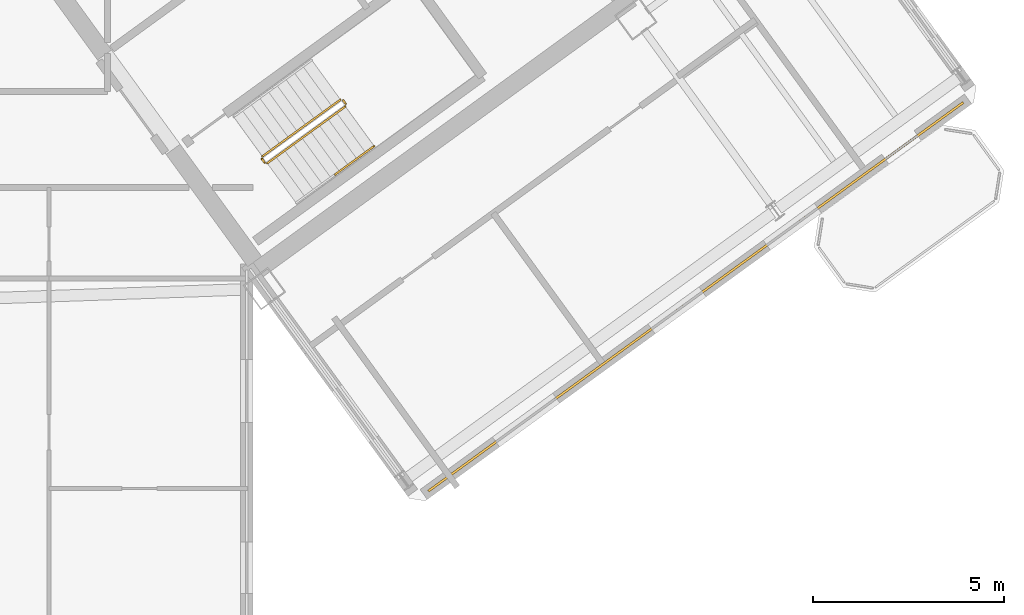
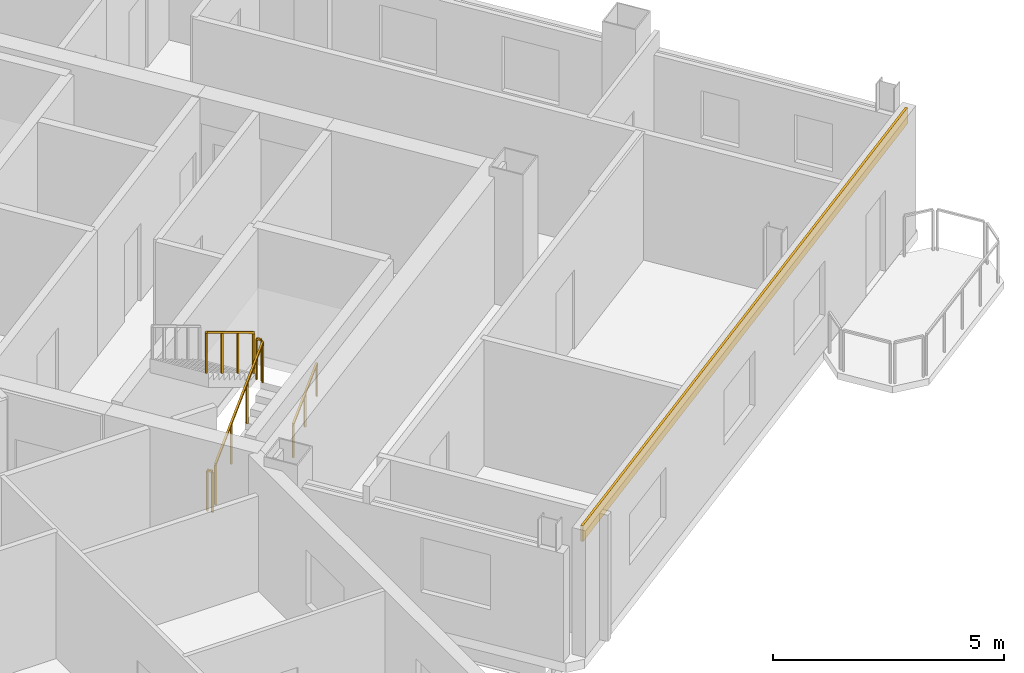
# One storey, part 27 of 29: 5 railings, 1 covering.
"""IFC4 building model written with IfcOpenShell, lengths in metres."""

from ifc_helpers import new_model, si_unit, direction, frame, origin, origin_2d, place, context, subcontext, project, spatial, rectangle, extrude, source, transform, mapped, material, layer, layer_set, type_object, element, save


model = new_model("IFC4")

# Units and contexts
model_context = context("Model", 3, precision=1e-05, world=origin(), true_north=direction((0.0, 1.0)))
body_context = subcontext(model_context, "Body", "Model", "MODEL_VIEW")
ifc_project = project(units=[si_unit("LENGTHUNIT", "METRE"), si_unit("AREAUNIT", "SQUARE_METRE"), si_unit("VOLUMEUNIT", "CUBIC_METRE"), si_unit("PLANEANGLEUNIT", "RADIAN"), si_unit("MASSUNIT", "GRAM", prefix="KILO")], contexts=[model_context])

# Site, building, storey
site_placement = place(None, origin())
site = spatial("IfcSite", under=ifc_project, at=site_placement, CompositionType="ELEMENT")
building_placement = place(site_placement, origin())
building = spatial("IfcBuilding", under=site, at=building_placement, Name="Tlacorven Tower", CompositionType="ELEMENT")
storey_placement = place(building_placement, frame((0.0, 0.0, 238.5)))
storey = spatial("IfcBuildingStorey", under=building, at=storey_placement, Name="L60", CompositionType="ELEMENT", Elevation=238.5)

# Covering
ifc_material_1 = material(Name="Precast concrete C45/55", Category="concrete")
ifc_layer = layer(ifc_material_1, 0.06005859375)
ifc_layer_set = layer_set([ifc_layer], Name="Precast concrete C45/55")
covering_type = type_object("IfcCoveringType", Name="CV-CLD-TERC", PredefinedType="CLADDING", material=ifc_layer_set)
shared_shape_1 = source(origin(), body_context, "Body", "SweptSolid", [
    extrude(rectangle(XDim=17.287353515625, YDim=0.06005859375, at=origin_2d()), origin(), (0.0, 0.0, 1.0), 0.419921875),
])
covering_placement = place(storey_placement, frame((63.9833984375, 12.562255859375, 2.929931640625), z_axis=(0.0, 0.0, 1.0), x_axis=(-0.809017097486, -0.587785110372, 0.0)))
element("IfcCovering", 1, at=covering_placement, inside=storey, type_object=covering_type, Name="L60 Masonry-Frame Spandrel Cladding 6", PredefinedType="CLADDING", context=body_context, shape_type="MappedRepresentation", body=[
    mapped(shared_shape_1, transform((0.0, 0.0, 0.0), scale=1.0)),
])

# Railings
ifc_material_2 = material(Name="Aluminium and painted steel balustrade", Category="steel")
railing_type_1 = type_object("IfcRailingType", Name="RL-GRD-1100", PredefinedType="GUARDRAIL", material=ifc_material_2)
shared_shape_2 = source(origin(), body_context, "Body", "SweptSolid", [
    extrude(rectangle(XDim=0.048095703125, YDim=0.048095703125, at=origin_2d()), frame((0.0, 0.0, 1.076171875), z_axis=(-0.587567097037, 0.809175448515, 0.0), x_axis=(-0.809175448515, -0.587567097037, 0.0)), (0.0, 0.0, 1.0), 0.1201171875),
    extrude(rectangle(XDim=0.0419921875, YDim=0.0419921875, at=origin_2d()), origin(), (0.0, 0.0, 1.0), 1.052001953125),
    extrude(rectangle(XDim=0.0419921875, YDim=0.0419921875, at=origin_2d()), frame((-0.070556640625, 0.09716796875, 0.0)), (0.0, 0.0, 1.0), 1.052001953125),
])
for number, where, name in (
    (2, (54.8310546875, 17.605712890625, 1.800048828125), "L60 ST-E2 stair guard 2"),
    (3, (52.71142578125, 16.065673828125, 0.0), "L60 ST-E2 stair guard 4"),
):
    element("IfcRailing", number, at=place(storey_placement, frame(where)), inside=storey, type_object=railing_type_1, Name=name, PredefinedType="GUARDRAIL", context=body_context, shape_type="MappedRepresentation", body=[
        mapped(shared_shape_2, transform((0.0, 0.0, 0.0), scale=1.0)),
    ])
railing_type_2 = type_object("IfcRailingType", Name="RL-HND-0900", PredefinedType="HANDRAIL", material=ifc_material_2)
shared_shape_3 = source(origin(), body_context, "Body", "SweptSolid", [
    extrude(rectangle(XDim=0.048095703125, YDim=0.048095703125, at=origin_2d()), frame((0.0, 0.0, 0.8759765625), z_axis=(0.680516055757, 0.494372502302, 0.540826891737), x_axis=(-0.587745292299, 0.809046025502, 0.0)), (0.0, 0.0, 1.0), 1.497802734375),
    extrude(rectangle(XDim=0.0419921875, YDim=0.0419921875, at=origin_2d()), origin(), (0.0, 0.0, 1.0), 0.851806640625),
    extrude(rectangle(XDim=0.0419921875, YDim=0.0419921875, at=origin_2d()), frame((0.509765625, 0.3701171875, 0.405029296875)), (0.0, 0.0, 1.0), 0.851806640625),
    extrude(rectangle(XDim=0.0419921875, YDim=0.0419921875, at=origin_2d()), frame((1.019287109375, 0.740478515625, 0.81005859375)), (0.0, 0.0, 1.0), 0.851806640625),
])
railing_1_placement = place(storey_placement, frame((54.552978515625, 15.759765625, 0.989990234375)))
element("IfcRailing", 4, at=railing_1_placement, inside=storey, type_object=railing_type_2, Name="L60 ST-E2 stair handrail 2", PredefinedType="HANDRAIL", context=body_context, shape_type="MappedRepresentation", body=[
    mapped(shared_shape_3, transform((0.0, 0.0, 0.0), scale=1.0)),
])
shared_shape_4 = source(origin(), body_context, "Body", "SweptSolid", [
    extrude(rectangle(XDim=0.048095703125, YDim=0.048095703125, at=origin_2d()), frame((0.0, 0.0, 1.076171875), z_axis=(0.680532390839, 0.494406659708, 0.54077511024), x_axis=(-0.587762637553, 0.809033424462, 0.0)), (0.0, 0.0, 1.0), 2.995849609375),
    extrude(rectangle(XDim=0.0419921875, YDim=0.0419921875, at=origin_2d()), origin(), (0.0, 0.0, 1.0), 1.052001953125),
    extrude(rectangle(XDim=0.0419921875, YDim=0.0419921875, at=origin_2d()), frame((0.6796875, 0.49365234375, 0.5400390625)), (0.0, 0.0, 1.0), 1.052001953125),
    extrude(rectangle(XDim=0.0419921875, YDim=0.0419921875, at=origin_2d()), frame((1.359130859375, 0.987548828125, 1.080078125)), (0.0, 0.0, 1.0), 1.052001953125),
    extrude(rectangle(XDim=0.0419921875, YDim=0.0419921875, at=origin_2d()), frame((2.038818359375, 1.481201171875, 1.6201171875)), (0.0, 0.0, 1.0), 1.052001953125),
])
railing_2_placement = place(storey_placement, frame((52.78125, 16.0546875, 0.179931640625)))
element("IfcRailing", 5, at=railing_2_placement, inside=storey, type_object=railing_type_1, Name="L60 ST-E2 stair guard 1", PredefinedType="GUARDRAIL", context=body_context, shape_type="MappedRepresentation", body=[
    mapped(shared_shape_4, transform((0.0, 0.0, 0.0), scale=1.0)),
])
shared_shape_5 = source(origin(), body_context, "Body", "SweptSolid", [
    extrude(rectangle(XDim=0.048095703125, YDim=0.048095703125, at=origin_2d()), frame((0.0, 0.0, 1.076171875), z_axis=(-0.680532390839, -0.494406659708, 0.54077511024), x_axis=(0.587762637553, -0.809033424462, 0.0)), (0.0, 0.0, 1.0), 2.995849609375),
    extrude(rectangle(XDim=0.0419921875, YDim=0.0419921875, at=origin_2d()), origin(), (0.0, 0.0, 1.0), 1.052001953125),
    extrude(rectangle(XDim=0.0419921875, YDim=0.0419921875, at=origin_2d()), frame((-0.6796875, -0.49365234375, 0.5400390625)), (0.0, 0.0, 1.0), 1.052001953125),
    extrude(rectangle(XDim=0.0419921875, YDim=0.0419921875, at=origin_2d()), frame((-1.359130859375, -0.987548828125, 1.080078125)), (0.0, 0.0, 1.0), 1.052001953125),
    extrude(rectangle(XDim=0.0419921875, YDim=0.0419921875, at=origin_2d()), frame((-2.038818359375, -1.481201171875, 1.6201171875)), (0.0, 0.0, 1.0), 1.052001953125),
])
railing_3_placement = place(storey_placement, frame((54.690673828125, 17.7138671875, 1.97998046875)))
element("IfcRailing", 6, at=railing_3_placement, inside=storey, type_object=railing_type_1, Name="L60 ST-E2 stair guard 3", PredefinedType="GUARDRAIL", context=body_context, shape_type="MappedRepresentation", body=[
    mapped(shared_shape_5, transform((0.0, 0.0, 0.0), scale=1.0)),
])

save(model, "model.ifc")
